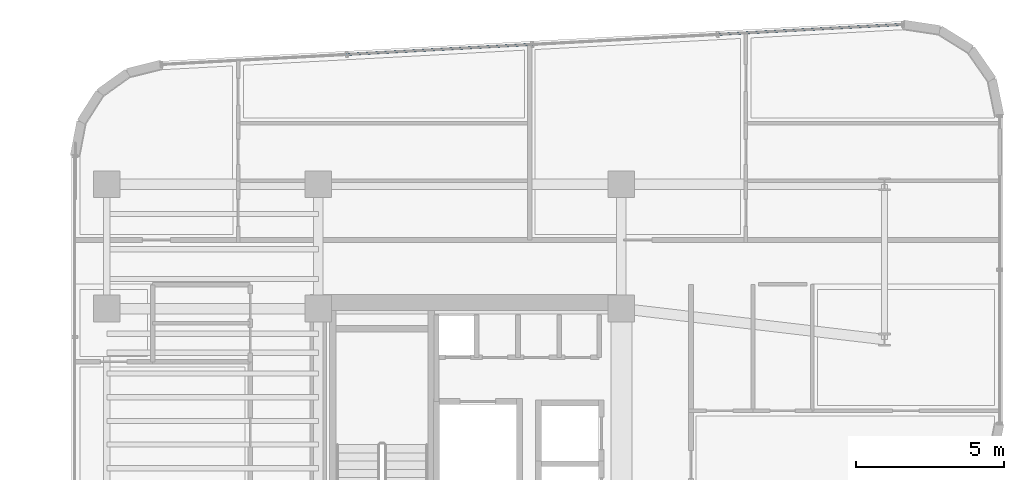
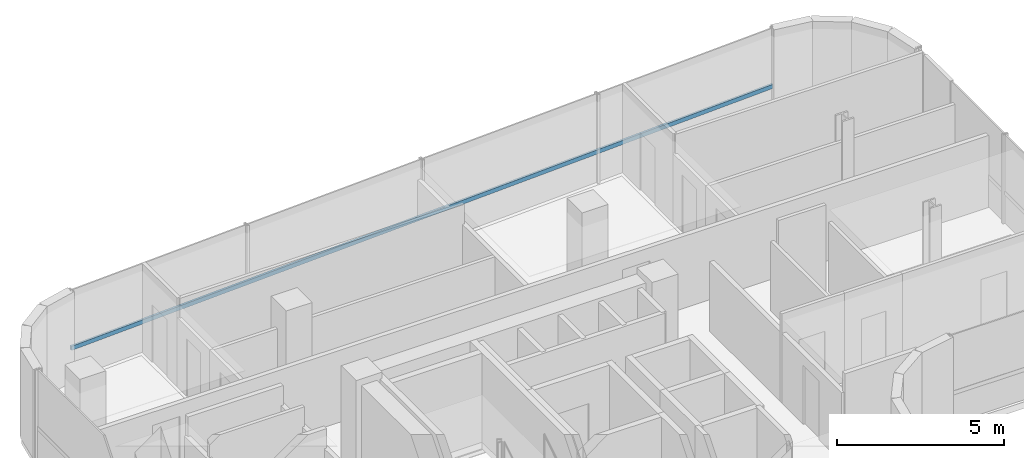
# One storey, part 15 of 24: 1 member, 1 element without a shape of its own.
"""IFC4 building model written with IfcOpenShell, lengths in metres."""

from ifc_helpers import new_model, si_unit, direction, frame, origin, origin_2d, place, context, subcontext, project, spatial, hollow_rectangle, extrude, source, transform, mapped, material, material_profile, profile_set, type_object, element, aggregate, save


model = new_model("IFC4")

# Units and contexts
model_context = context("Model", 3, precision=1e-05, world=origin(), true_north=direction((0.0, 1.0)))
body_context = subcontext(model_context, "Body", "Model", "MODEL_VIEW")
ifc_project = project(units=[si_unit("LENGTHUNIT", "METRE"), si_unit("AREAUNIT", "SQUARE_METRE"), si_unit("VOLUMEUNIT", "CUBIC_METRE"), si_unit("PLANEANGLEUNIT", "RADIAN"), si_unit("MASSUNIT", "GRAM", prefix="KILO")], contexts=[model_context])

# Site, building, storey
site_placement = place(None, origin())
site = spatial("IfcSite", under=ifc_project, at=site_placement, CompositionType="ELEMENT")
building_placement = place(site_placement, origin())
building = spatial("IfcBuilding", under=site, at=building_placement, Name="Valdorenza Pilgrim Sanctuary Tower", CompositionType="ELEMENT")
storey_placement = place(building_placement, frame((0.0, 0.0, 230.0)))
storey = spatial("IfcBuildingStorey", under=building, at=storey_placement, Name="L59", CompositionType="ELEMENT", Elevation=230.0)

# Curtain wall, member
ifc_material_1 = material(Name="Curtain-wall IGU glazing", Category="glass")
curtain_wall_type = type_object("IfcCurtainWallType", Name="CW-SYS-02", PredefinedType="NOTDEFINED", material=ifc_material_1)
curtain_wall_placement = place(storey_placement, origin())
curtain_wall = element("IfcCurtainWall", 1, at=curtain_wall_placement, inside=storey, type_object=curtain_wall_type, Name="L59 Curtain Wall CW-L59-1-6", PredefinedType="NOTDEFINED")
ifc_material_2 = material(Name="Anodised aluminium AW-6060", Category="aluminium")
ifc_material_profile = material_profile(ifc_material_2, hollow_rectangle(XDim=0.074951171875, YDim=0.14990234375, WallThickness=0.00390625, at=origin_2d()), Name="ALU-T 150x75x4")
ifc_profile_set = profile_set([ifc_material_profile], Name="Anodised aluminium AW-6060")
member_type = type_object("IfcMemberType", Name="CW-TRN-02", PredefinedType="USERDEFINED", material=ifc_profile_set)
shared_shape = source(origin(), body_context, "Body", "SweptSolid", [
    extrude(hollow_rectangle(XDim=0.074951171875, YDim=0.14990234375, WallThickness=0.00390625, at=origin_2d()), origin(), (0.0, 0.0, 1.0), 25.114990234375),
])
member_placement = place(storey_placement, frame((-27.9560546875, 18.85400390625, 1.1201171875), z_axis=(0.998546716184, 0.053893001378, 0.0), x_axis=(-0.053893001378, 0.998546716184, 0.0)))
member = element("IfcMember", 2, at=member_placement, type_object=member_type, Name="CW-L59-1-6 Transom 1", ObjectType="TRANSOM", PredefinedType="USERDEFINED", context=body_context, shape_type="MappedRepresentation", body=[
    mapped(shared_shape, transform((0.0, 0.0, 0.0), x_axis=(1.0, 0.0, 0.0), y_axis=(0.0, 1.0, 0.0), z_axis=(0.0, 0.0, 1.0), scale=1.0)),
])
aggregate(curtain_wall, [member])

save(model, "model.ifc")
